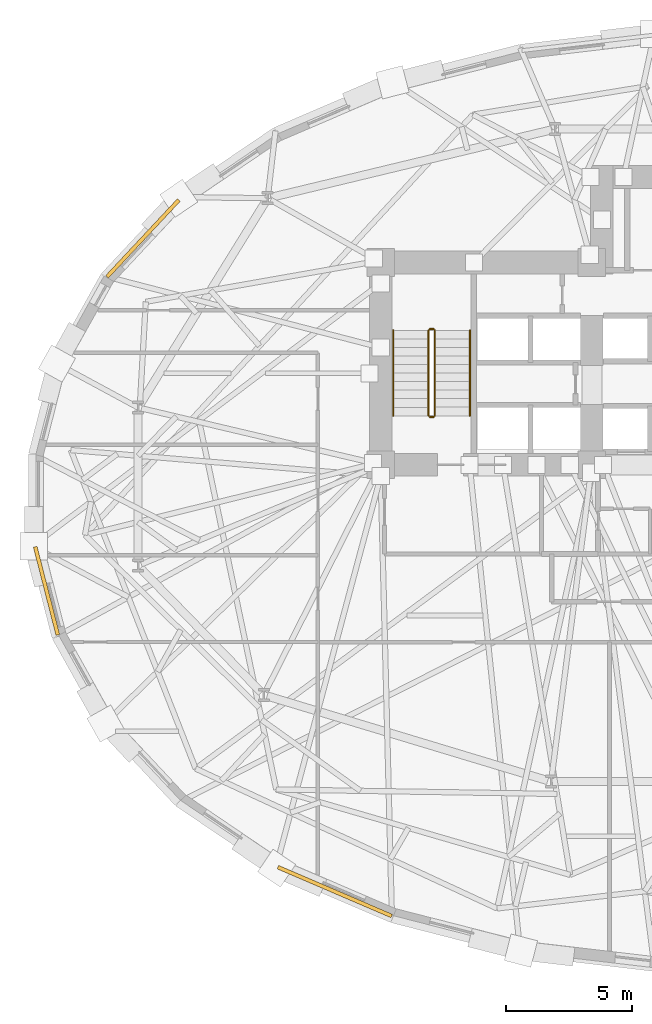
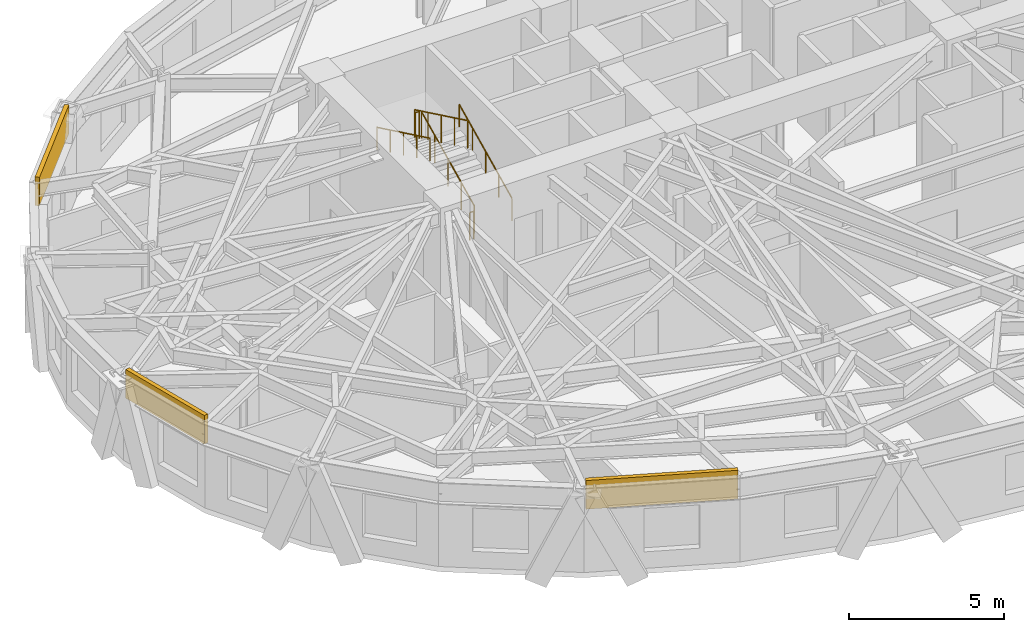
# One storey, part 10 of 13: 6 railings, 3 coverings.
"""IFC4 building model written with IfcOpenShell, lengths in metres."""

from ifc_helpers import new_model, si_unit, direction, frame, origin, origin_2d, place, context, subcontext, project, spatial, rectangle, circle, extrude, material, layer, layer_set, type_object, element, save


model = new_model("IFC4")

# Units and contexts
model_context = context("Model", 3, precision=1e-05, world=origin(), true_north=direction((0.0, 1.0)))
body_context = subcontext(model_context, "Body", "Model", "MODEL_VIEW")
ifc_project = project(units=[si_unit("LENGTHUNIT", "METRE"), si_unit("AREAUNIT", "SQUARE_METRE"), si_unit("VOLUMEUNIT", "CUBIC_METRE"), si_unit("PLANEANGLEUNIT", "RADIAN"), si_unit("MASSUNIT", "GRAM", prefix="KILO")], contexts=[model_context])

# Site, building, storey
site_placement = place(None, origin())
site = spatial("IfcSite", under=ifc_project, at=site_placement, CompositionType="ELEMENT")
building_placement = place(site_placement, origin())
building = spatial("IfcBuilding", under=site, at=building_placement, Name="Keldmark Tower", CompositionType="ELEMENT")
storey_placement = place(building_placement, frame((0.0, 0.0, 45.0)))
storey = spatial("IfcBuildingStorey", under=building, at=storey_placement, Name="L11", CompositionType="ELEMENT", Elevation=45.0)

# Coverings
ifc_material_1 = material(Name="Honed Kasota Buff Dolomitic Limestone", Category="masonry")
ifc_layer = layer(ifc_material_1, 0.074951171875)
ifc_layer_set = layer_set([ifc_layer], Name="Honed Kasota Buff Dolomitic Limestone")
covering_type = type_object("IfcCoveringType", Name="Kasota Buff Limestone Spandrel Cladding Band", PredefinedType="CLADDING", material=ifc_layer_set)
covering_1_placement = place(storey_placement, frame((-23.060302734375, 10.407470703125, 2.453125), z_axis=(0.0, 0.0, 1.0), x_axis=(-0.683006109341, -0.730412660489, 0.0)))
element("IfcCovering", 1, at=covering_1_placement, inside=storey, type_object=covering_type, Name="L11 Kasota Limestone Spandrel Band 13", PredefinedType="CLADDING", context=body_context, shape_type="SweptSolid", body=[
    extrude(rectangle(XDim=4.177978515625, YDim=0.14990234375, at=origin_2d()), origin(), (0.0, 0.0, 1.0), 1.126953125),
])
covering_2_placement = place(storey_placement, frame((-26.8955078125, -3.61669921875, 2.453125), z_axis=(0.0, 0.0, 1.0), x_axis=(0.248098167018, -0.96873489641, 0.0)))
element("IfcCovering", 2, at=covering_2_placement, inside=storey, type_object=covering_type, Name="L11 Kasota Limestone Spandrel Band 17", PredefinedType="CLADDING", context=body_context, shape_type="SweptSolid", body=[
    extrude(rectangle(XDim=3.618896484375, YDim=0.14990234375, at=origin_2d()), origin(), (0.0, 0.0, 1.0), 1.126953125),
])
covering_3_placement = place(storey_placement, frame((-15.426513671875, -15.5791015625, 2.453125), z_axis=(0.0, 0.0, 1.0), x_axis=(0.91888763684, -0.394519341558, 0.0)))
element("IfcCovering", 3, at=covering_3_placement, inside=storey, type_object=covering_type, Name="L11 Kasota Limestone Spandrel Band 21", PredefinedType="CLADDING", context=body_context, shape_type="SweptSolid", body=[
    extrude(rectangle(XDim=4.922119140625, YDim=0.14990234375, at=origin_2d()), origin(), (0.0, 0.0, 1.0), 1.126953125),
])

# Railings
ifc_material_2 = material(Name="Painted Steel ASTM A500 Grade B", Category="steel")
railing_type_1 = type_object("IfcRailingType", Name="Painted Steel Stair Well Guard 1100 mm", PredefinedType="GUARDRAIL", material=ifc_material_2)
railing_1_placement = place(storey_placement, frame((-11.449951171875, 3.35009765625, 0.16357421875)))
element("IfcRailing", 4, at=railing_1_placement, inside=storey, type_object=railing_type_1, Name="L11 ST1 stair guard 1", PredefinedType="GUARDRAIL", context=body_context, shape_type="SweptSolid", body=[
    extrude(circle(Radius=0.02392578125, at=origin_2d()), frame((0.0, 0.0, 1.076171875), z_axis=(0.0, 0.901055053782, 0.433704726806), x_axis=(-1.0, 0.0, 0.0)), (0.0, 0.0, 1.0), 3.773193359375),
    extrude(circle(Radius=0.02099609375, at=origin_2d()), origin(), (0.0, 0.0, 1.0), 1.052001953125),
    extrude(circle(Radius=0.02099609375, at=origin_2d()), frame((0.0, 0.85009765625, 0.4091796875)), (0.0, 0.0, 1.0), 1.052001953125),
    extrude(circle(Radius=0.02099609375, at=origin_2d()), frame((0.0, 1.699951171875, 0.818359375)), (0.0, 0.0, 1.0), 1.052001953125),
    extrude(circle(Radius=0.02099609375, at=origin_2d()), frame((0.0, 2.5498046875, 1.227294921875)), (0.0, 0.0, 1.0), 1.052001953125),
    extrude(circle(Radius=0.02099609375, at=origin_2d()), frame((0.0, 3.39990234375, 1.636474609375)), (0.0, 0.0, 1.0), 1.052001953125),
])
railing_2_placement = place(storey_placement, frame((-11.5, 6.800048828125, 1.800048828125)))
element("IfcRailing", 5, at=railing_2_placement, inside=storey, type_object=railing_type_1, Name="L11 ST1 stair guard 2", PredefinedType="GUARDRAIL", context=body_context, shape_type="SweptSolid", body=[
    extrude(circle(Radius=0.02392578125, at=origin_2d()), frame((0.0, 0.0, 1.076171875), z_axis=(-1.0, 0.0, 0.0), x_axis=(0.0, -1.0, 0.0)), (0.0, 0.0, 1.0), 0.14990234375),
    extrude(circle(Radius=0.02099609375, at=origin_2d()), origin(), (0.0, 0.0, 1.0), 1.052001953125),
    extrude(circle(Radius=0.02099609375, at=origin_2d()), frame((-0.14990234375, 0.0, 0.0)), (0.0, 0.0, 1.0), 1.052001953125),
])
railing_3_placement = place(storey_placement, frame((-11.699951171875, 6.75, 1.963623046875)))
element("IfcRailing", 6, at=railing_3_placement, inside=storey, type_object=railing_type_1, Name="L11 ST1 stair guard 3", PredefinedType="GUARDRAIL", context=body_context, shape_type="SweptSolid", body=[
    extrude(circle(Radius=0.02392578125, at=origin_2d()), frame((0.0, 0.0, 1.076171875), z_axis=(0.0, -0.901055053782, 0.433704726806), x_axis=(1.0, 0.0, 0.0)), (0.0, 0.0, 1.0), 3.773193359375),
    extrude(circle(Radius=0.02099609375, at=origin_2d()), origin(), (0.0, 0.0, 1.0), 1.052001953125),
    extrude(circle(Radius=0.02099609375, at=origin_2d()), frame((0.0, -0.85009765625, 0.4091796875)), (0.0, 0.0, 1.0), 1.052001953125),
    extrude(circle(Radius=0.02099609375, at=origin_2d()), frame((0.0, -1.699951171875, 0.818359375)), (0.0, 0.0, 1.0), 1.052001953125),
    extrude(circle(Radius=0.02099609375, at=origin_2d()), frame((0.0, -2.5498046875, 1.227294921875)), (0.0, 0.0, 1.0), 1.052001953125),
    extrude(circle(Radius=0.02099609375, at=origin_2d()), frame((0.0, -3.39990234375, 1.636474609375)), (0.0, 0.0, 1.0), 1.052001953125),
])
railing_4_placement = place(storey_placement, frame((-11.5, 3.300048828125, 0.0)))
element("IfcRailing", 7, at=railing_4_placement, inside=storey, type_object=railing_type_1, Name="L11 ST1 stair guard 4", PredefinedType="GUARDRAIL", context=body_context, shape_type="SweptSolid", body=[
    extrude(circle(Radius=0.02392578125, at=origin_2d()), frame((0.0, 0.0, 1.076171875), z_axis=(-1.0, 0.0, 0.0), x_axis=(0.0, -1.0, 0.0)), (0.0, 0.0, 1.0), 0.14990234375),
    extrude(circle(Radius=0.02099609375, at=origin_2d()), origin(), (0.0, 0.0, 1.0), 1.052001953125),
    extrude(circle(Radius=0.02099609375, at=origin_2d()), frame((-0.14990234375, 0.0, 0.0)), (0.0, 0.0, 1.0), 1.052001953125),
])
ifc_material_3 = material(Name="Stainless Steel AISI 316L", Category="steel")
railing_type_2 = type_object("IfcRailingType", Name="Stainless Steel Stair Handrail 900 mm", PredefinedType="HANDRAIL", material=ifc_material_3)
railing_5_placement = place(storey_placement, frame((-10.050048828125, 3.35009765625, 0.16357421875)))
element("IfcRailing", 8, at=railing_5_placement, inside=storey, type_object=railing_type_2, Name="L11 ST1 stair handrail 1", PredefinedType="HANDRAIL", context=body_context, shape_type="SweptSolid", body=[
    extrude(circle(Radius=0.02392578125, at=origin_2d()), frame((0.0, 0.0, 0.8759765625), z_axis=(0.0, 0.901055053782, 0.433704726806), x_axis=(-1.0, 0.0, 0.0)), (0.0, 0.0, 1.0), 3.773193359375),
    extrude(circle(Radius=0.02099609375, at=origin_2d()), origin(), (0.0, 0.0, 1.0), 0.851806640625),
    extrude(circle(Radius=0.02099609375, at=origin_2d()), frame((0.0, 0.85009765625, 0.4091796875)), (0.0, 0.0, 1.0), 0.851806640625),
    extrude(circle(Radius=0.02099609375, at=origin_2d()), frame((0.0, 1.699951171875, 0.818359375)), (0.0, 0.0, 1.0), 0.851806640625),
    extrude(circle(Radius=0.02099609375, at=origin_2d()), frame((0.0, 2.5498046875, 1.227294921875)), (0.0, 0.0, 1.0), 0.851806640625),
    extrude(circle(Radius=0.02099609375, at=origin_2d()), frame((0.0, 3.39990234375, 1.636474609375)), (0.0, 0.0, 1.0), 0.851806640625),
])
railing_6_placement = place(storey_placement, frame((-13.10009765625, 6.75, 1.963623046875)))
element("IfcRailing", 9, at=railing_6_placement, inside=storey, type_object=railing_type_2, Name="L11 ST1 stair handrail 2", PredefinedType="HANDRAIL", context=body_context, shape_type="SweptSolid", body=[
    extrude(circle(Radius=0.02392578125, at=origin_2d()), frame((0.0, 0.0, 0.8759765625), z_axis=(0.0, -0.901055053782, 0.433704726806), x_axis=(1.0, 0.0, 0.0)), (0.0, 0.0, 1.0), 3.773193359375),
    extrude(circle(Radius=0.02099609375, at=origin_2d()), origin(), (0.0, 0.0, 1.0), 0.851806640625),
    extrude(circle(Radius=0.02099609375, at=origin_2d()), frame((0.0, -0.85009765625, 0.4091796875)), (0.0, 0.0, 1.0), 0.851806640625),
    extrude(circle(Radius=0.02099609375, at=origin_2d()), frame((0.0, -1.699951171875, 0.818359375)), (0.0, 0.0, 1.0), 0.851806640625),
    extrude(circle(Radius=0.02099609375, at=origin_2d()), frame((0.0, -2.5498046875, 1.227294921875)), (0.0, 0.0, 1.0), 0.851806640625),
    extrude(circle(Radius=0.02099609375, at=origin_2d()), frame((0.0, -3.39990234375, 1.636474609375)), (0.0, 0.0, 1.0), 0.851806640625),
])

save(model, "model.ifc")
